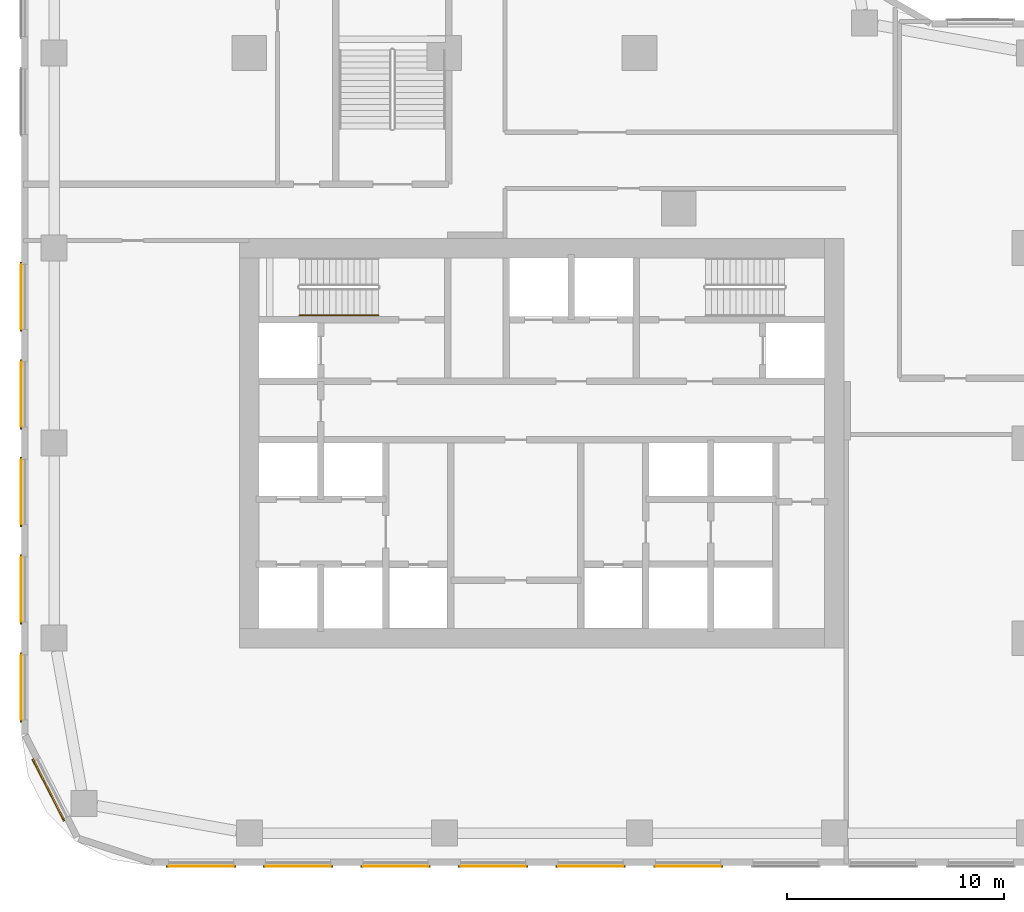
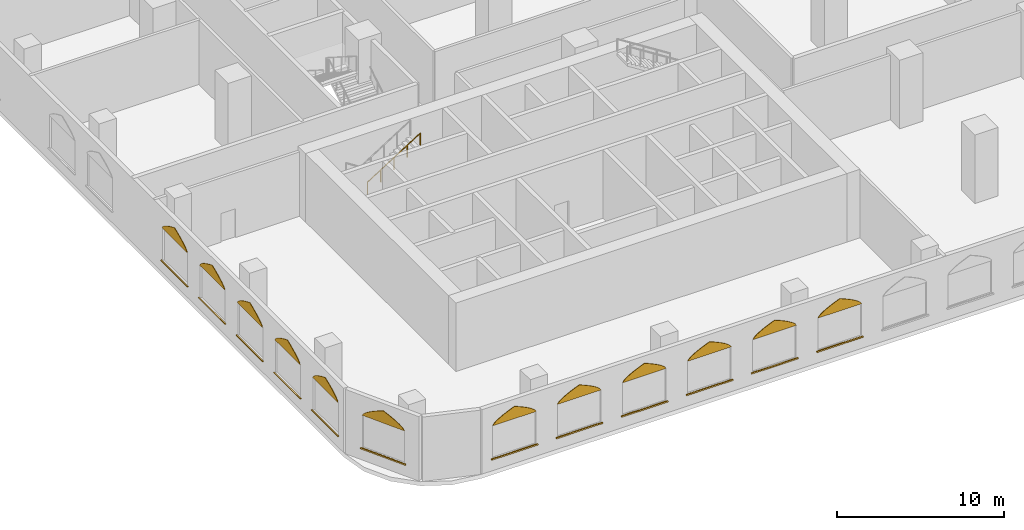
# One storey, part 19 of 31: 24 coverings, 1 railing.
"""IFC4 building model written with IfcOpenShell, lengths in metres."""

from ifc_helpers import new_model, si_unit, direction, frame, origin, origin_2d, place, context, subcontext, project, spatial, polyline, rectangle, circle, outline, extrude, material, layer, layer_set, type_object, element, save


model = new_model("IFC4")

# Units and contexts
model_context = context("Model", 3, precision=1e-05, world=origin(), true_north=direction((0.0, 1.0)))
body_context = subcontext(model_context, "Body", "Model", "MODEL_VIEW")
ifc_project = project(units=[si_unit("LENGTHUNIT", "METRE"), si_unit("AREAUNIT", "SQUARE_METRE"), si_unit("VOLUMEUNIT", "CUBIC_METRE"), si_unit("PLANEANGLEUNIT", "RADIAN"), si_unit("MASSUNIT", "GRAM", prefix="KILO")], contexts=[model_context])

# Site, building, storey
site_placement = place(None, origin())
site = spatial("IfcSite", under=ifc_project, at=site_placement, CompositionType="ELEMENT")
building_placement = place(site_placement, origin())
building = spatial("IfcBuilding", under=site, at=building_placement, Name="Ogive Portal Towers", CompositionType="ELEMENT")
storey_placement = place(building_placement, frame((0.0, 0.0, 13.5)))
storey = spatial("IfcBuildingStorey", under=building, at=storey_placement, Name="L02", CompositionType="ELEMENT", Elevation=13.5)

# Railing
ifc_material_1 = material(Name="Stainless steel handrail", Category="steel")
railing_type = type_object("IfcRailingType", Name="INT-HANDRAIL", PredefinedType="HANDRAIL", material=ifc_material_1)
railing_placement = place(storey_placement, frame((33.81005859375, 36.39990234375, 2.678466796875)))
element("IfcRailing", 1, at=railing_placement, inside=storey, type_object=railing_type, Name="L02 ST-A1 stair handrail 2", PredefinedType="HANDRAIL", context=body_context, shape_type="SweptSolid", body=[
    extrude(circle(Radius=0.02392578125, at=origin_2d()), frame((0.0, 0.0, 0.8759765625), z_axis=(0.843111507901, 0.0, 0.53773877045), x_axis=(0.0, 1.0, 0.0)), (0.0, 0.0, 1.0), 4.317138671875),
    extrude(circle(Radius=0.02099609375, at=origin_2d()), origin(), (0.0, 0.0, 1.0), 0.851806640625),
    extrude(circle(Radius=0.02099609375, at=origin_2d()), frame((0.909912109375, 0.0, 0.580322265625)), (0.0, 0.0, 1.0), 0.851806640625),
    extrude(circle(Radius=0.02099609375, at=origin_2d()), frame((1.81982421875, 0.0, 1.16064453125)), (0.0, 0.0, 1.0), 0.851806640625),
    extrude(circle(Radius=0.02099609375, at=origin_2d()), frame((2.72998046875, 0.0, 1.7412109375)), (0.0, 0.0, 1.0), 0.851806640625),
    extrude(circle(Radius=0.02099609375, at=origin_2d()), frame((3.639892578125, 0.0, 2.321533203125)), (0.0, 0.0, 1.0), 0.851806640625),
])

# Coverings
ifc_material_2 = material(Name="Limestone cladding on lightweight block wall", Category="masonry")
ifc_layer_1 = layer(ifc_material_2, 0.0400390625)
ifc_layer_set_1 = layer_set([ifc_layer_1], Name="LANCET HEAD STONE")
covering_type_1 = type_object("IfcCoveringType", Name="LANCET HEAD STONE", PredefinedType="CLADDING", material=ifc_layer_set_1)
covering_1_placement = place(storey_placement, frame((21.58837890625, 15.84521484375, 3.300048828125), z_axis=(0.890951213184, 0.453986518369, 0.010108257236), x_axis=(0.454009716366, -0.890996732567, -3.06364e-07)))
element("IfcCovering", 2, at=covering_1_placement, inside=storey, type_object=covering_type_1, Name="Lancet head", PredefinedType="CLADDING", context=body_context, shape_type="SweptSolid", body=[
    extrude(outline(polyline([(0.0, 0.0), (2.999890731384289, 0.0), (2.9337135819672038, -0.1125567277471324), (2.812400611987339, -0.22486506751868154), (2.6556000370748487, -0.3374203120598849), (2.469538433092914, -0.4499743995598753), (2.2588005222545657, -0.5625287879186986), (2.0255699014167377, -0.6750836458422428), (1.7721410097270687, -0.7873928150844063), (1.499929860246848, -0.8999490760785828), (1.2276287171759217, -0.7873937893609075), (0.9742165180292072, -0.6750829864833984), (0.741113432099835, -0.5625274171833613), (0.5303922139540335, -0.44997357711867286), (0.34434730266464575, -0.33741943619515136), (0.18734589194553927, -0.22486533182457222), (0.06626714300779069, -0.11255481996471935), (0.0, 0.0)])), origin(), (0.0, 0.0, -1.0), 0.0400390625),
])
covering_2_placement = place(storey_placement, frame((27.773681640625, 11.0, 3.300048828125), z_axis=(0.0, 0.99995005646, 0.009994227635), x_axis=(1.0, 0.0, 0.0)))
element("IfcCovering", 3, at=covering_2_placement, inside=storey, type_object=covering_type_1, Name="Lancet head", PredefinedType="CLADDING", context=body_context, shape_type="SweptSolid", body=[
    extrude(outline(polyline([(0.0, 0.0), (3.0, 0.0), (2.933837890625, -0.11255540702298532), (2.8125, -0.22486424561723664), (2.655517578125, -0.33741965264022195), (2.4697265625, -0.44997261966622615), (2.259033203125, -0.5625280266892115), (2.02587890625, -0.6750834337121968), (1.7724609375, -0.7873922723064481), (1.5, -0.8999476793294334), (1.227783203125, -0.7873922723064481), (0.974365234375, -0.6750834337121968), (0.7412109375, -0.5625280266892115), (0.530517578125, -0.44997261966622615), (0.344482421875, -0.33741965264022195), (0.1875, -0.22486424561723664), (0.06640625, -0.11255540702298532), (0.0, 0.0)])), origin(), (0.0, 0.0, -1.0), 0.0400390625),
])
for number, where, z_axis, x_axis, name in (
    (4, (32.25, 11.0, 3.300048828125), (0.0, 0.999950056531, 0.009994220538), (1.0, 0.0, 0.0), "Lancet head"),
    (5, (36.75, 11.0, 3.300048828125), (0.0, 0.999950056531, 0.009994220538), (1.0, 0.0, 0.0), "Lancet head"),
    (6, (41.25, 11.0, 3.300048828125), (0.0, 0.999950056531, 0.009994220538), (1.0, 0.0, 0.0), "Lancet head"),
    (7, (45.75, 11.0, 3.300048828125), (0.0, 0.999950056531, 0.009994220538), (1.0, 0.0, 0.0), "Lancet head"),
    (8, (50.25, 11.0, 3.300048828125), (0.0, 0.999950056531, 0.009994220538), (1.0, 0.0, 0.0), "Lancet head"),
    (9, (21.0, 38.75, 3.300048828125), (0.999950056531, 0.0, 0.009994220538), (0.0, -1.0, 0.0), "Lancet head"),
    (10, (21.0, 34.25, 3.300048828125), (0.999950056531, 0.0, 0.009994220538), (0.0, -1.0, 0.0), "Lancet head"),
    (11, (21.0, 29.75, 3.300048828125), (0.999950056531, 0.0, 0.009994220538), (0.0, -1.0, 0.0), "Lancet head"),
    (12, (21.0, 25.25, 3.300048828125), (0.999950056531, 0.0, 0.009994220538), (0.0, -1.0, 0.0), "Lancet head"),
):
    element("IfcCovering", number, at=place(storey_placement, frame(where, z_axis=z_axis, x_axis=x_axis)), inside=storey, type_object=covering_type_1, Name=name, PredefinedType="CLADDING", context=body_context, shape_type="SweptSolid", body=[
        extrude(outline(polyline([(0.0, 0.0), (3.0, 0.0), (2.93359375, -0.11255540702230543), (2.8125, -0.22486424561759202), (2.655517578125, -0.3374196526398974), (2.4697265625, -0.4499726196669543), (2.2587890625, -0.5625280266892596), (2.025634765625, -0.6750834337115651), (1.772216796875, -0.7873922723068517), (1.5, -0.8999476793291572), (1.227783203125, -0.7873922723068517), (0.974365234375, -0.6750834337115651), (0.7412109375, -0.5625280266892596), (0.5302734375, -0.4499726196669543), (0.344482421875, -0.3374196526398974), (0.1875, -0.22486424561759202), (0.06640625, -0.11255540702230543), (0.0, 0.0)])), origin(), (0.0, 0.0, -1.0), 0.0400390625),
    ])
covering_3_placement = place(storey_placement, frame((21.0, 20.726318359375, 3.300048828125), z_axis=(0.99995005646, 0.0, 0.009994227635), x_axis=(0.0, -1.0, 0.0)))
element("IfcCovering", 13, at=covering_3_placement, inside=storey, type_object=covering_type_1, Name="Lancet head", PredefinedType="CLADDING", context=body_context, shape_type="SweptSolid", body=[
    extrude(outline(polyline([(0.0, 0.0), (3.0, 0.0), (2.933837890625, -0.11255540702298532), (2.8125, -0.22486424561723664), (2.655517578125, -0.33741965264022195), (2.4697265625, -0.44997261966622615), (2.259033203125, -0.5625280266892115), (2.02587890625, -0.6750834337121968), (1.7724609375, -0.7873922723064481), (1.5, -0.8999476793294334), (1.227783203125, -0.7873922723064481), (0.974365234375, -0.6750834337121968), (0.7412109375, -0.5625280266892115), (0.530517578125, -0.44997261966622615), (0.344482421875, -0.33741965264022195), (0.1875, -0.22486424561723664), (0.06640625, -0.11255540702298532), (0.0, 0.0)])), origin(), (0.0, 0.0, -1.0), 0.0400390625),
])
ifc_layer_2 = layer(ifc_material_2, 0.080078125)
ifc_layer_set_2 = layer_set([ifc_layer_2], Name="STONE SILL 80")
covering_type_2 = type_object("IfcCoveringType", Name="STONE SILL 80", PredefinedType="CLADDING", material=ifc_layer_set_2)
for number, where, z_axis, x_axis, name in (
    (14, (22.233642578125, 14.49072265625, 0.840087890625), (0.0, 0.0, 1.0), (0.45399049974, -0.891006524188, 0.0), "Stone sill"),
    (15, (29.273681640625, 10.9599609375, 0.840087890625), (0.0, 0.0, 1.0), (1.0, 0.0, 0.0), "Stone sill"),
    (16, (33.75, 10.9599609375, 0.840087890625), (0.0, 0.0, 1.0), (1.0, 0.0, 0.0), "Stone sill"),
    (17, (38.25, 10.9599609375, 0.840087890625), (0.0, 0.0, 1.0), (1.0, 0.0, 0.0), "Stone sill"),
    (18, (42.75, 10.9599609375, 0.840087890625), (0.0, 0.0, 1.0), (1.0, 0.0, 0.0), "Stone sill"),
    (19, (47.25, 10.9599609375, 0.840087890625), (0.0, 0.0, 1.0), (1.0, 0.0, 0.0), "Stone sill"),
    (20, (51.75, 10.9599609375, 0.840087890625), (0.0, 0.0, 1.0), (1.0, 0.0, 0.0), "Stone sill"),
    (21, (20.9599609375, 37.25, 0.840087890625), (0.0, 0.0, 1.0), (0.0, -1.0, 0.0), "Stone sill"),
    (22, (20.9599609375, 32.75, 0.840087890625), (0.0, 0.0, 1.0), (0.0, -1.0, 0.0), "Stone sill"),
    (23, (20.9599609375, 28.25, 0.840087890625), (0.0, 0.0, 1.0), (0.0, -1.0, 0.0), "Stone sill"),
    (24, (20.9599609375, 23.75, 0.840087890625), (0.0, 0.0, 1.0), (0.0, -1.0, 0.0), "Stone sill"),
    (25, (20.9599609375, 19.226318359375, 0.840087890625), (0.0, 0.0, 1.0), (0.0, -1.0, 0.0), "Stone sill"),
):
    element("IfcCovering", number, at=place(storey_placement, frame(where, z_axis=z_axis, x_axis=x_axis)), inside=storey, type_object=covering_type_2, Name=name, PredefinedType="CLADDING", context=body_context, shape_type="SweptSolid", body=[
        extrude(rectangle(XDim=3.199951171875, YDim=0.080078125, at=origin_2d()), origin(), (0.0, 0.0, 1.0), 0.06005859375),
    ])

save(model, "model.ifc")
